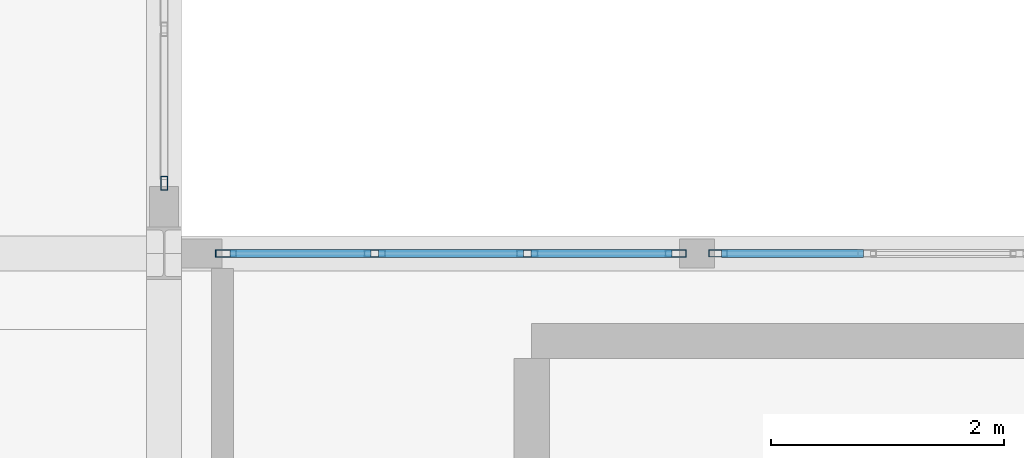
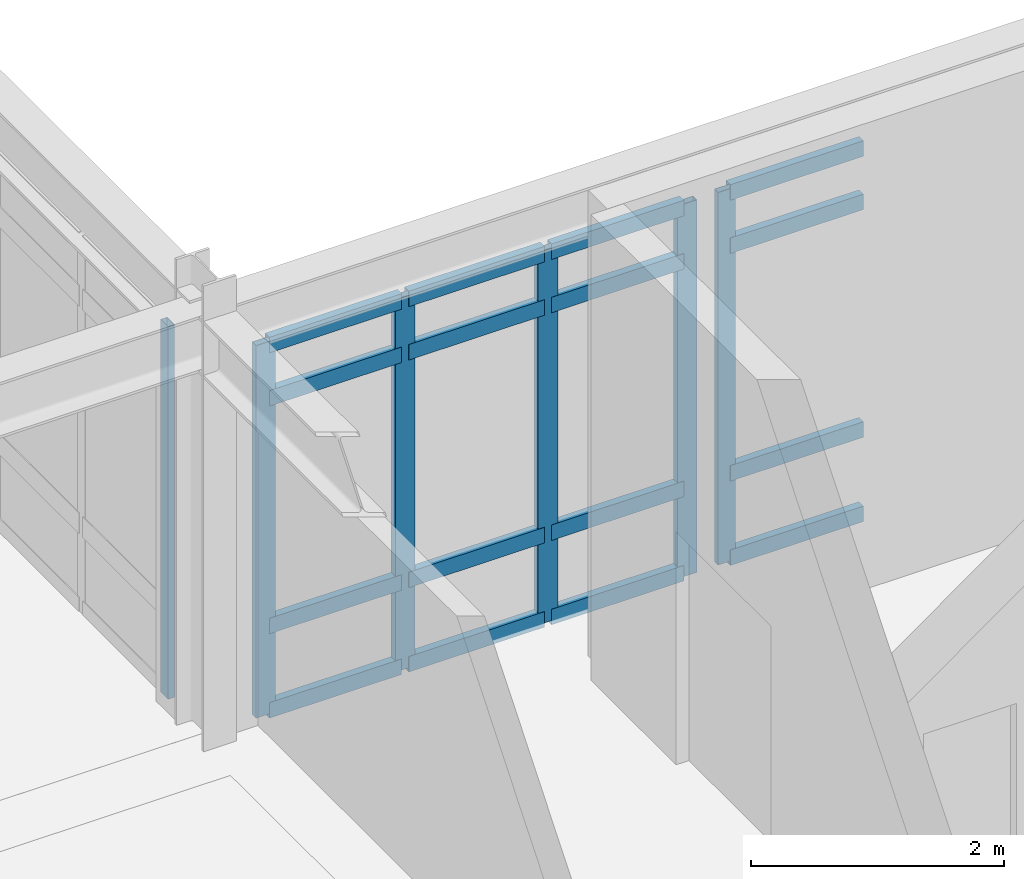
# One storey, part 20 of 61: 22 members, 3 elements without a shape of their own.
"""IFC4 building model written with IfcOpenShell, lengths in metres."""

import ifcopenshell
import ifcopenshell.guid

model = None  # the IFC model being written
_history = None  # IfcOwnerHistory: only IFC2X3 demands one
_inside = {}  # id of a spatial element -> (the spatial element, [elements in it])
_under = {}  # id of a project, library or spatial element -> (it, [spatial elements below it])
_declared = {}  # id of a project -> (the project, [libraries it declares])
_typed = {}  # id of a type object -> (the type object, [elements of that type])
_made_of = {}  # id of a material, layer set ... -> (it, [elements and type objects made of it])


def new_model(schema):
    """Start an empty IFC model of exactly this schema.

    Asked for "IFC4X3", IfcOpenShell would pick the latest addendum, in which some entities
    have other attributes; the version numbers below select the first issue.
    IFC2X3 requires an IfcOwnerHistory on every rooted entity: one is made here for all.
    """
    global model, _history
    if schema == "IFC4X3":
        model = ifcopenshell.file(schema_version=(4, 3, 0, 0))
    else:
        model = ifcopenshell.file(schema=schema)
    _inside.clear()
    _under.clear()
    _declared.clear()
    _typed.clear()
    _made_of.clear()
    _history = None
    if model.schema == "IFC2X3":
        org = make("IfcOrganization", Name="unknown")
        user = make(
            "IfcPersonAndOrganization",
            ThePerson=make("IfcPerson", FamilyName="unknown"),
            TheOrganization=org,
        )
        app = make(
            "IfcApplication",
            ApplicationDeveloper=org,
            Version="unknown",
            ApplicationFullName="unknown",
            ApplicationIdentifier="unknown",
        )
        _history = make(
            "IfcOwnerHistory",
            OwningUser=user,
            OwningApplication=app,
            ChangeAction="ADDED",
            CreationDate=0,
        )
    return model


def make(cls, **values):
    """One entity of the class cls with the attributes given. An attribute that is None is left unset."""
    return model.create_entity(
        cls, **{name: value for name, value in values.items() if value is not None}
    )


def rooted(cls, **values):
    """An entity with a GlobalId (a new one), such as an element, a storey or a relation."""
    return make(cls, GlobalId=ifcopenshell.guid.new(), OwnerHistory=_history, **values)


def si_unit(unit_type, name, prefix=None):
    """IfcSIUnit, for example si_unit("LENGTHUNIT", "METRE", prefix="MILLI")."""
    return make("IfcSIUnit", UnitType=unit_type, Prefix=prefix, Name=name)


def assignment(units):
    """IfcUnitAssignment: the units of a project."""
    return None if units is None else make("IfcUnitAssignment", Units=units)


def point(xyz):
    """IfcCartesianPoint."""
    return None if xyz is None else make("IfcCartesianPoint", Coordinates=xyz)


def direction(xyz):
    """IfcDirection."""
    return None if xyz is None else make("IfcDirection", DirectionRatios=xyz)


def frame(location, z_axis=None, x_axis=None):
    """IfcAxis2Placement3D, a coordinate frame: its origin and axes. An axis left out is left unset."""
    return make(
        "IfcAxis2Placement3D",
        Location=point(location),
        Axis=direction(z_axis),
        RefDirection=direction(x_axis),
    )


def frame_2d(location, x_axis=None):
    """IfcAxis2Placement2D, a coordinate frame in the plane: its origin and x axis."""
    return make(
        "IfcAxis2Placement2D", Location=point(location), RefDirection=direction(x_axis)
    )


def origin():
    """The frame at (0, 0, 0) with its axes left unset."""
    return frame((0.0, 0.0, 0.0))


def origin_2d():
    """The frame at (0, 0) in the plane with its x axis left unset."""
    return frame_2d((0.0, 0.0))


def place(relative_to, where):
    """IfcLocalPlacement: puts the frame where relative to a parent placement (None: the world)."""
    return make(
        "IfcLocalPlacement", PlacementRelTo=relative_to, RelativePlacement=where
    )


def context(
    kind, dimensions, precision=None, world=None, true_north=None, identifier=None
):
    """IfcGeometricRepresentationContext, for example the 3D "Model" context."""
    return make(
        "IfcGeometricRepresentationContext",
        ContextIdentifier=identifier,
        ContextType=kind,
        CoordinateSpaceDimension=dimensions,
        Precision=precision,
        WorldCoordinateSystem=world,
        TrueNorth=true_north,
    )


def subcontext(parent, identifier, kind, view, scale=None):
    """IfcGeometricRepresentationSubContext, for example "Body" below "Model"."""
    return make(
        "IfcGeometricRepresentationSubContext",
        ContextIdentifier=identifier,
        ContextType=kind,
        ParentContext=parent,
        TargetScale=scale,
        TargetView=view,
    )


def project(units=None, contexts=None):
    """IfcProject with its units and contexts."""
    return rooted(
        "IfcProject",
        Name="project",
        RepresentationContexts=contexts,
        UnitsInContext=assignment(units),
    )


def spatial(cls, under=None, at=None, **own):
    """A site, building, storey or space (cls), placed at a placement, below another one or the project."""
    s = rooted(cls, ObjectPlacement=at, **own)
    if under is not None:
        _under.setdefault(under.id(), (under, []))[1].append(s)
    return s


def profile(cls, at=None, kind="AREA", **sizes):
    """A parametric profile (cls). Its sizes go by their IFC names, for example OverallWidth=200.0."""
    return make(cls, ProfileType=kind, Position=at, **sizes)


def hollow_rectangle(**sizes):
    """IfcRectangleHollowProfileDef."""
    return profile("IfcRectangleHollowProfileDef", **sizes)


def extrude(swept, where, along, depth):
    """IfcExtrudedAreaSolid: the profile swept, set in the frame where, extruded along a direction by depth."""
    return make(
        "IfcExtrudedAreaSolid",
        SweptArea=swept,
        Position=where,
        ExtrudedDirection=direction(along),
        Depth=depth,
    )


def shape(context_of_items, identifier, shape_type, items):
    """IfcShapeRepresentation: the items that make up one representation, for example the "Body"."""
    return make(
        "IfcShapeRepresentation",
        ContextOfItems=context_of_items,
        RepresentationIdentifier=identifier,
        RepresentationType=shape_type,
        Items=items,
    )


def material(Name=None, Category=None):
    """IfcMaterial."""
    return make("IfcMaterial", Name=Name, Category=Category)


def layer(
    of_material, thickness, ventilated=None, Name=None, Category=None, Priority=None
):
    """IfcMaterialLayer: one layer of a wall or slab, of a material (None: an air gap)."""
    return make(
        "IfcMaterialLayer",
        Material=of_material,
        LayerThickness=thickness,
        IsVentilated=ventilated,
        Name=Name,
        Category=Category,
        Priority=Priority,
    )


def layer_set(layers, Name=None):
    """IfcMaterialLayerSet."""
    return make("IfcMaterialLayerSet", MaterialLayers=layers, LayerSetName=Name)


def material_profile(
    of_material, cross_section, Name=None, Category=None, Priority=None
):
    """IfcMaterialProfile: a cross section and its material."""
    return make(
        "IfcMaterialProfile",
        Name=Name,
        Material=of_material,
        Profile=cross_section,
        Priority=Priority,
        Category=Category,
    )


def profile_set(profiles, Name=None, composite=None):
    """IfcMaterialProfileSet."""
    return make(
        "IfcMaterialProfileSet",
        Name=Name,
        MaterialProfiles=profiles,
        CompositeProfile=composite,
    )


def made_of(thing, what):
    """Note that an element or type object is made of a material, layer set ...; save() writes the relation."""
    if what is not None:
        _made_of.setdefault(what.id(), (what, []))[1].append(thing)
    return thing


def type_object(cls, material=None, **own):
    """A type object (cls), such as IfcWallType, which elements share."""
    return made_of(rooted(cls, **own), material)


def element(
    cls,
    number,
    at=None,
    inside=None,
    cuts=None,
    type_object=None,
    material=None,
    context=None,
    identifier="Body",
    shape_type=None,
    held_by="IfcProductDefinitionShape",
    body=None,
    shapes=None,
    **own,
):
    """One element of the class cls, such as IfcWall. Its Tag is "e" and its number.

    at: its placement. inside: the storey or other place that contains it. cuts: it is an
    opening in that element (IfcRelVoidsElement). A single representation is given by context,
    identifier, shape_type and body (its items); several are given by shapes. held_by: the class
    of the entity that holds the representations. save() writes the other relations.
    """
    e = rooted(cls, Tag="e%d" % number, ObjectPlacement=at, **own)
    if body is not None:
        shapes = [shape(context, identifier, shape_type, body)]
    if shapes is not None:
        e.Representation = make(held_by, Representations=shapes)
    if inside is not None:
        _inside.setdefault(inside.id(), (inside, []))[1].append(e)
    if cuts is not None:
        rooted(
            "IfcRelVoidsElement", RelatingBuildingElement=cuts, RelatedOpeningElement=e
        )
    if type_object is not None:
        _typed.setdefault(type_object.id(), (type_object, []))[1].append(e)
    return made_of(e, material)


def aggregate(whole, parts):
    """IfcRelAggregates: a whole, such as a stair, and the parts it consists of."""
    return rooted("IfcRelAggregates", RelatingObject=whole, RelatedObjects=parts)


def save(model, path):
    """Write the relations noted so far, then the file.

    IfcRelAggregates (storeys below a building ...), IfcRelContainedInSpatialStructure (elements
    in a storey), IfcRelDefinesByType, IfcRelAssociatesMaterial and IfcRelDeclares: one each for
    every whole, place, type object, material and project.
    """
    for whole, parts in _under.values():
        aggregate(whole, parts)
    for where, things in _inside.values():
        rooted(
            "IfcRelContainedInSpatialStructure",
            RelatedElements=things,
            RelatingStructure=where,
        )
    for kind, things in _typed.values():
        rooted("IfcRelDefinesByType", RelatedObjects=things, RelatingType=kind)
    for what, things in _made_of.values():
        rooted("IfcRelAssociatesMaterial", RelatedObjects=things, RelatingMaterial=what)
    for by, libraries in _declared.values():
        rooted("IfcRelDeclares", RelatingContext=by, RelatedDefinitions=libraries)
    model.write(path)


model = new_model("IFC4")

# Units and contexts
model_context = context("Model", 3, precision=1e-05, world=origin(), true_north=direction((0.0, 1.0)))
body_context = subcontext(model_context, "Body", "Model", "MODEL_VIEW")
ifc_project = project(units=[si_unit("LENGTHUNIT", "METRE"), si_unit("AREAUNIT", "SQUARE_METRE"), si_unit("VOLUMEUNIT", "CUBIC_METRE"), si_unit("PLANEANGLEUNIT", "RADIAN"), si_unit("MASSUNIT", "GRAM", prefix="KILO")], contexts=[model_context])

# Site, building, storey
site_placement = place(None, origin())
site = spatial("IfcSite", under=ifc_project, at=site_placement, CompositionType="ELEMENT")
building_placement = place(site_placement, origin())
building = spatial("IfcBuilding", under=site, at=building_placement, Name="Fikremerkos Civic Library", CompositionType="ELEMENT")
storey_placement = place(building_placement, frame((0.0, 0.0, 14.39990234375)))
storey = spatial("IfcBuildingStorey", under=building, at=storey_placement, Name="L03", CompositionType="ELEMENT", Elevation=14.39990234375)

# Curtain wall, members
ifc_material = material(Name="Anodized aluminium Frame", Category="aluminium")
ifc_layer_1 = layer(ifc_material, 0.159912109375, Name="Anodized aluminium Frame")
ifc_layer_set_1 = layer_set([ifc_layer_1], Name="Anodized aluminium Frame")
curtain_wall_type_1 = type_object("IfcCurtainWallType", Name="Unitised curtain wall CW-09 3600x3400", PredefinedType="USERDEFINED", material=ifc_layer_set_1)
curtain_wall_1_placement = place(storey_placement, origin())
curtain_wall_1 = element("IfcCurtainWall", 1, at=curtain_wall_1_placement, inside=storey, type_object=curtain_wall_type_1, Name="Unitised curtain wall CW-09 L03 #207", ObjectType="UNITISED CURTAIN WALL", PredefinedType="USERDEFINED")
ifc_material_profile_1 = material_profile(ifc_material, hollow_rectangle(XDim=0.06494140625, YDim=0.179931640625, WallThickness=0.00439453125, at=origin_2d()), Name="ALU 180x65x4.5")
ifc_profile_set_1 = profile_set([ifc_material_profile_1], Name="Anodized aluminium Frame")
member_type_1 = type_object("IfcMemberType", Name="Curtain mullion CWM-01 ALU 180x65x4.5", PredefinedType="MULLION", material=ifc_profile_set_1)
member_1_placement = place(storey_placement, frame((100.73046875, 31.199951171875, 0.0), z_axis=(0.0, 0.0, 1.0), x_axis=(0.0, 1.0, 0.0)))
member_1 = element("IfcMember", 2, at=member_1_placement, type_object=member_type_1, Name="CW-09 mullion 1", PredefinedType="MULLION", context=body_context, shape_type="SweptSolid", body=[
    extrude(hollow_rectangle(XDim=0.06494140625, YDim=0.179931640625, WallThickness=0.00439453125, at=origin_2d()), origin(), (0.0, 0.0, 1.0), 3.60009765625),
])
member_2_placement = place(storey_placement, frame((102.00390625, 31.199951171875, 0.0), z_axis=(0.0, 0.0, 1.0), x_axis=(0.0, 1.0, 0.0)))
member_2 = element("IfcMember", 3, at=member_2_placement, type_object=member_type_1, Name="CW-09 mullion 2", PredefinedType="MULLION", context=body_context, shape_type="SweptSolid", body=[
    extrude(hollow_rectangle(XDim=0.06494140625, YDim=0.179931640625, WallThickness=0.00439453125, at=origin_2d()), origin(), (0.0, 0.0, 1.0), 3.60009765625),
])
member_3_placement = place(storey_placement, frame((103.31005859375, 31.199951171875, 0.0), z_axis=(0.0, 0.0, 1.0), x_axis=(0.0, 1.0, 0.0)))
member_3 = element("IfcMember", 4, at=member_3_placement, type_object=member_type_1, Name="CW-09 mullion 3", PredefinedType="MULLION", context=body_context, shape_type="SweptSolid", body=[
    extrude(hollow_rectangle(XDim=0.06494140625, YDim=0.179931640625, WallThickness=0.00439453125, at=origin_2d()), origin(), (0.0, 0.0, 1.0), 3.60009765625),
])
member_4_placement = place(storey_placement, frame((104.58349609375, 31.199951171875, 0.0), z_axis=(0.0, 0.0, 1.0), x_axis=(0.0, 1.0, 0.0)))
member_4 = element("IfcMember", 5, at=member_4_placement, type_object=member_type_1, Name="CW-09 mullion 4", PredefinedType="MULLION", context=body_context, shape_type="SweptSolid", body=[
    extrude(hollow_rectangle(XDim=0.06494140625, YDim=0.179931640625, WallThickness=0.00439453125, at=origin_2d()), origin(), (0.0, 0.0, 1.0), 3.60009765625),
])

# Curtain wall, member
ifc_layer_2 = layer(ifc_material, 0.159912109375, Name="Anodized aluminium Frame")
ifc_layer_set_2 = layer_set([ifc_layer_2], Name="Anodized aluminium Frame")
curtain_wall_type_2 = type_object("IfcCurtainWallType", Name="Unitised curtain wall CW-10 4000x3400", PredefinedType="USERDEFINED", material=ifc_layer_set_2)
curtain_wall_2_placement = place(storey_placement, origin())
curtain_wall_2 = element("IfcCurtainWall", 6, at=curtain_wall_2_placement, inside=storey, type_object=curtain_wall_type_2, Name="Unitised curtain wall CW-10 L03 #208", ObjectType="UNITISED CURTAIN WALL", PredefinedType="USERDEFINED")
ifc_material_profile_2 = material_profile(ifc_material, hollow_rectangle(XDim=0.06005859375, YDim=0.159912109375, WallThickness=0.00390625, at=origin_2d()), Name="ALU 160x60x4")
ifc_profile_set_2 = profile_set([ifc_material_profile_2], Name="Anodized aluminium Frame")
member_type_2 = type_object("IfcMemberType", Name="Curtain mullion CWM-02 ALU 160x60x4", PredefinedType="MULLION", material=ifc_profile_set_2)
member_5_placement = place(storey_placement, frame((104.946044921875, 31.199951171875, 0.0), z_axis=(0.0, 0.0, 1.0), x_axis=(0.0, 1.0, 0.0)))
member_5 = element("IfcMember", 7, at=member_5_placement, type_object=member_type_2, Name="CW-10 mullion 1", PredefinedType="MULLION", context=body_context, shape_type="SweptSolid", body=[
    extrude(hollow_rectangle(XDim=0.06005859375, YDim=0.159912109375, WallThickness=0.00390625, at=origin_2d()), origin(), (0.0, 0.0, 1.0), 3.60009765625),
])

ifc_layer_3 = layer(ifc_material, 0.159912109375, Name="Anodized aluminium Frame")
ifc_layer_set_3 = layer_set([ifc_layer_3], Name="Anodized aluminium Frame")
curtain_wall_type_3 = type_object("IfcCurtainWallType", Name="Unitised curtain wall CW-08 4500x4100", PredefinedType="USERDEFINED", material=ifc_layer_set_3)
curtain_wall_3_placement = place(storey_placement, origin())
curtain_wall_3 = element("IfcCurtainWall", 8, at=curtain_wall_3_placement, inside=storey, type_object=curtain_wall_type_3, Name="Unitised curtain wall CW-08 L03 #206", ObjectType="UNITISED CURTAIN WALL", PredefinedType="USERDEFINED")
ifc_material_profile_3 = material_profile(ifc_material, hollow_rectangle(XDim=0.06005859375, YDim=0.1201171875, WallThickness=0.00390625, at=origin_2d()), Name="ALU 120x60x4")
ifc_profile_set_3 = profile_set([ifc_material_profile_3], Name="Anodized aluminium Frame")
member_type_3 = type_object("IfcMemberType", Name="Curtain mullion CWM-04 ALU 120x60x4", PredefinedType="MULLION", material=ifc_profile_set_3)
member_6_placement = place(storey_placement, frame((100.199951171875, 31.802978515625, 0.0), z_axis=(0.0, 0.0, 1.0), x_axis=(1.0, 0.0, 0.0)))
member_6 = element("IfcMember", 9, at=member_6_placement, type_object=member_type_3, Name="CW-08 mullion 4", PredefinedType="MULLION", context=body_context, shape_type="SweptSolid", body=[
    extrude(hollow_rectangle(XDim=0.06005859375, YDim=0.1201171875, WallThickness=0.00390625, at=origin_2d()), origin(), (0.0, 0.0, 1.0), 3.60009765625),
])
aggregate(curtain_wall_3, [member_6])

# Member
ifc_material_profile_4 = material_profile(ifc_material, hollow_rectangle(XDim=0.070068359375, YDim=0.14990234375, WallThickness=0.00439453125, at=origin_2d()), Name="ALU 150x70x4.5")
ifc_profile_set_4 = profile_set([ifc_material_profile_4], Name="Anodized aluminium Frame")
member_type_4 = type_object("IfcMemberType", Name="Curtain transom CWT-01 ALU 150x70x4.5", PredefinedType="USERDEFINED", material=ifc_profile_set_4)
member_7_placement = place(storey_placement, frame((100.762939453125, 31.199951171875, 0.03515625), z_axis=(1.0, 0.0, 0.0), x_axis=(0.0, 1.0, 0.0)))
member_7 = element("IfcMember", 10, at=member_7_placement, type_object=member_type_4, Name="CW-09 transom 1.1", ObjectType="TRANSOM", PredefinedType="USERDEFINED", context=body_context, shape_type="SweptSolid", body=[
    extrude(hollow_rectangle(XDim=0.070068359375, YDim=0.14990234375, WallThickness=0.00439453125, at=origin_2d()), origin(), (0.0, 0.0, 1.0), 1.20849609375),
])

member_8_placement = place(storey_placement, frame((100.762939453125, 31.199951171875, 0.85009765625), z_axis=(1.0, 0.0, 0.0), x_axis=(0.0, 1.0, 0.0)))
member_8 = element("IfcMember", 11, at=member_8_placement, type_object=member_type_4, Name="CW-09 transom 1.2", ObjectType="TRANSOM", PredefinedType="USERDEFINED", context=body_context, shape_type="SweptSolid", body=[
    extrude(hollow_rectangle(XDim=0.070068359375, YDim=0.14990234375, WallThickness=0.00439453125, at=origin_2d()), origin(), (0.0, 0.0, 1.0), 1.20849609375),
])

member_9_placement = place(storey_placement, frame((100.762939453125, 31.199951171875, 3.050048828125), z_axis=(1.0, 0.0, 0.0), x_axis=(0.0, 1.0, 0.0)))
member_9 = element("IfcMember", 12, at=member_9_placement, type_object=member_type_4, Name="CW-09 transom 1.3", ObjectType="TRANSOM", PredefinedType="USERDEFINED", context=body_context, shape_type="SweptSolid", body=[
    extrude(hollow_rectangle(XDim=0.070068359375, YDim=0.14990234375, WallThickness=0.00439453125, at=origin_2d()), origin(), (0.0, 0.0, 1.0), 1.20849609375),
])

member_10_placement = place(storey_placement, frame((100.762939453125, 31.199951171875, 3.565185546875), z_axis=(1.0, 0.0, 0.0), x_axis=(0.0, 1.0, 0.0)))
member_10 = element("IfcMember", 13, at=member_10_placement, type_object=member_type_4, Name="CW-09 transom 1.4", ObjectType="TRANSOM", PredefinedType="USERDEFINED", context=body_context, shape_type="SweptSolid", body=[
    extrude(hollow_rectangle(XDim=0.070068359375, YDim=0.14990234375, WallThickness=0.00439453125, at=origin_2d()), origin(), (0.0, 0.0, 1.0), 1.20849609375),
])

member_11_placement = place(storey_placement, frame((102.03662109375, 31.199951171875, 0.03515625), z_axis=(1.0, 0.0, 0.0), x_axis=(0.0, 1.0, 0.0)))
member_11 = element("IfcMember", 14, at=member_11_placement, type_object=member_type_4, Name="CW-09 transom 2.1", ObjectType="TRANSOM", PredefinedType="USERDEFINED", context=body_context, shape_type="SweptSolid", body=[
    extrude(hollow_rectangle(XDim=0.070068359375, YDim=0.14990234375, WallThickness=0.00439453125, at=origin_2d()), origin(), (0.0, 0.0, 1.0), 1.240966796875),
])

member_12_placement = place(storey_placement, frame((102.03662109375, 31.199951171875, 0.85009765625), z_axis=(1.0, 0.0, 0.0), x_axis=(0.0, 1.0, 0.0)))
member_12 = element("IfcMember", 15, at=member_12_placement, type_object=member_type_4, Name="CW-09 transom 2.2", ObjectType="TRANSOM", PredefinedType="USERDEFINED", context=body_context, shape_type="SweptSolid", body=[
    extrude(hollow_rectangle(XDim=0.070068359375, YDim=0.14990234375, WallThickness=0.00439453125, at=origin_2d()), origin(), (0.0, 0.0, 1.0), 1.240966796875),
])

member_13_placement = place(storey_placement, frame((102.03662109375, 31.199951171875, 3.050048828125), z_axis=(1.0, 0.0, 0.0), x_axis=(0.0, 1.0, 0.0)))
member_13 = element("IfcMember", 16, at=member_13_placement, type_object=member_type_4, Name="CW-09 transom 2.3", ObjectType="TRANSOM", PredefinedType="USERDEFINED", context=body_context, shape_type="SweptSolid", body=[
    extrude(hollow_rectangle(XDim=0.070068359375, YDim=0.14990234375, WallThickness=0.00439453125, at=origin_2d()), origin(), (0.0, 0.0, 1.0), 1.240966796875),
])

member_14_placement = place(storey_placement, frame((102.03662109375, 31.199951171875, 3.565185546875), z_axis=(1.0, 0.0, 0.0), x_axis=(0.0, 1.0, 0.0)))
member_14 = element("IfcMember", 17, at=member_14_placement, type_object=member_type_4, Name="CW-09 transom 2.4", ObjectType="TRANSOM", PredefinedType="USERDEFINED", context=body_context, shape_type="SweptSolid", body=[
    extrude(hollow_rectangle(XDim=0.070068359375, YDim=0.14990234375, WallThickness=0.00439453125, at=origin_2d()), origin(), (0.0, 0.0, 1.0), 1.240966796875),
])

member_15_placement = place(storey_placement, frame((103.342529296875, 31.199951171875, 0.03515625), z_axis=(1.0, 0.0, 0.0), x_axis=(0.0, 1.0, 0.0)))
member_15 = element("IfcMember", 18, at=member_15_placement, type_object=member_type_4, Name="CW-09 transom 3.1", ObjectType="TRANSOM", PredefinedType="USERDEFINED", context=body_context, shape_type="SweptSolid", body=[
    extrude(hollow_rectangle(XDim=0.070068359375, YDim=0.14990234375, WallThickness=0.00439453125, at=origin_2d()), origin(), (0.0, 0.0, 1.0), 1.20849609375),
])

member_16_placement = place(storey_placement, frame((103.342529296875, 31.199951171875, 0.85009765625), z_axis=(1.0, 0.0, 0.0), x_axis=(0.0, 1.0, 0.0)))
member_16 = element("IfcMember", 19, at=member_16_placement, type_object=member_type_4, Name="CW-09 transom 3.2", ObjectType="TRANSOM", PredefinedType="USERDEFINED", context=body_context, shape_type="SweptSolid", body=[
    extrude(hollow_rectangle(XDim=0.070068359375, YDim=0.14990234375, WallThickness=0.00439453125, at=origin_2d()), origin(), (0.0, 0.0, 1.0), 1.20849609375),
])

member_17_placement = place(storey_placement, frame((103.342529296875, 31.199951171875, 3.050048828125), z_axis=(1.0, 0.0, 0.0), x_axis=(0.0, 1.0, 0.0)))
member_17 = element("IfcMember", 20, at=member_17_placement, type_object=member_type_4, Name="CW-09 transom 3.3", ObjectType="TRANSOM", PredefinedType="USERDEFINED", context=body_context, shape_type="SweptSolid", body=[
    extrude(hollow_rectangle(XDim=0.070068359375, YDim=0.14990234375, WallThickness=0.00439453125, at=origin_2d()), origin(), (0.0, 0.0, 1.0), 1.20849609375),
])

member_18_placement = place(storey_placement, frame((103.342529296875, 31.199951171875, 3.565185546875), z_axis=(1.0, 0.0, 0.0), x_axis=(0.0, 1.0, 0.0)))
member_18 = element("IfcMember", 21, at=member_18_placement, type_object=member_type_4, Name="CW-09 transom 3.4", ObjectType="TRANSOM", PredefinedType="USERDEFINED", context=body_context, shape_type="SweptSolid", body=[
    extrude(hollow_rectangle(XDim=0.070068359375, YDim=0.14990234375, WallThickness=0.00439453125, at=origin_2d()), origin(), (0.0, 0.0, 1.0), 1.20849609375),
])

aggregate(curtain_wall_1, [member_1, member_2, member_3, member_4, member_7, member_8, member_9, member_10, member_11, member_12, member_13, member_14, member_15, member_16, member_17, member_18])

member_19_placement = place(storey_placement, frame((104.97607421875, 31.199951171875, 0.03515625), z_axis=(1.0, 0.0, 0.0), x_axis=(0.0, 1.0, 0.0)))
member_19 = element("IfcMember", 22, at=member_19_placement, type_object=member_type_4, Name="CW-10 transom 1.1", ObjectType="TRANSOM", PredefinedType="USERDEFINED", context=body_context, shape_type="SweptSolid", body=[
    extrude(hollow_rectangle(XDim=0.070068359375, YDim=0.14990234375, WallThickness=0.00439453125, at=origin_2d()), origin(), (0.0, 0.0, 1.0), 1.2158203125),
])

member_20_placement = place(storey_placement, frame((104.97607421875, 31.199951171875, 0.85009765625), z_axis=(1.0, 0.0, 0.0), x_axis=(0.0, 1.0, 0.0)))
member_20 = element("IfcMember", 23, at=member_20_placement, type_object=member_type_4, Name="CW-10 transom 1.2", ObjectType="TRANSOM", PredefinedType="USERDEFINED", context=body_context, shape_type="SweptSolid", body=[
    extrude(hollow_rectangle(XDim=0.070068359375, YDim=0.14990234375, WallThickness=0.00439453125, at=origin_2d()), origin(), (0.0, 0.0, 1.0), 1.2158203125),
])

member_21_placement = place(storey_placement, frame((104.97607421875, 31.199951171875, 3.050048828125), z_axis=(1.0, 0.0, 0.0), x_axis=(0.0, 1.0, 0.0)))
member_21 = element("IfcMember", 24, at=member_21_placement, type_object=member_type_4, Name="CW-10 transom 1.3", ObjectType="TRANSOM", PredefinedType="USERDEFINED", context=body_context, shape_type="SweptSolid", body=[
    extrude(hollow_rectangle(XDim=0.070068359375, YDim=0.14990234375, WallThickness=0.00439453125, at=origin_2d()), origin(), (0.0, 0.0, 1.0), 1.2158203125),
])

member_22_placement = place(storey_placement, frame((104.97607421875, 31.199951171875, 3.565185546875), z_axis=(1.0, 0.0, 0.0), x_axis=(0.0, 1.0, 0.0)))
member_22 = element("IfcMember", 25, at=member_22_placement, type_object=member_type_4, Name="CW-10 transom 1.4", ObjectType="TRANSOM", PredefinedType="USERDEFINED", context=body_context, shape_type="SweptSolid", body=[
    extrude(hollow_rectangle(XDim=0.070068359375, YDim=0.14990234375, WallThickness=0.00439453125, at=origin_2d()), origin(), (0.0, 0.0, 1.0), 1.2158203125),
])

aggregate(curtain_wall_2, [member_5, member_19, member_20, member_21, member_22])

save(model, "model.ifc")
